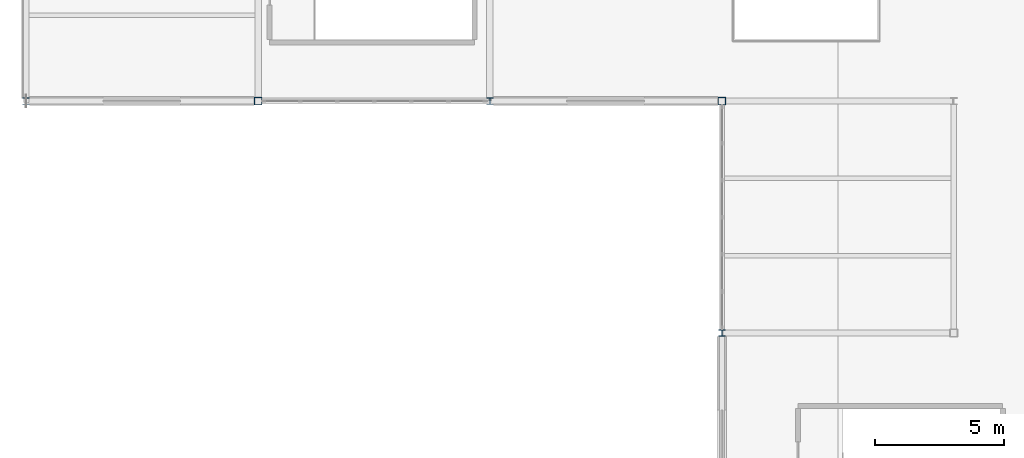
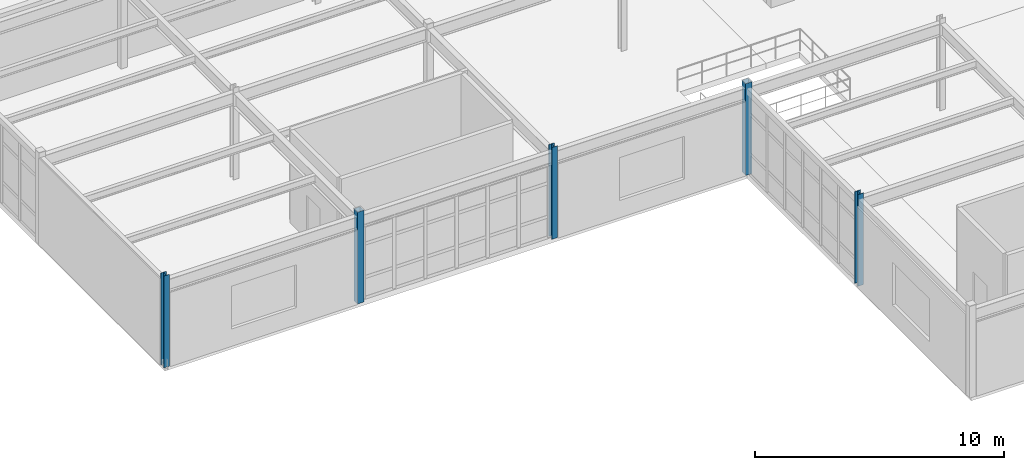
# One storey, part 3 of 81: 5 columns.
"""IFC4 building model written with IfcOpenShell, lengths in metres."""

from ifc_helpers import new_model, si_unit, direction, frame, origin, origin_2d, place, context, subcontext, project, spatial, hollow_rectangle, i_section, extrude, material, material_profile, profile_set, type_object, element, save


model = new_model("IFC4")

# Units and contexts
model_context = context("Model", 3, precision=1e-05, world=origin(), true_north=direction((0.0, 1.0)))
body_context = subcontext(model_context, "Body", "Model", "MODEL_VIEW")
ifc_project = project(units=[si_unit("LENGTHUNIT", "METRE"), si_unit("AREAUNIT", "SQUARE_METRE"), si_unit("VOLUMEUNIT", "CUBIC_METRE"), si_unit("PLANEANGLEUNIT", "RADIAN"), si_unit("MASSUNIT", "GRAM", prefix="KILO")], contexts=[model_context])

# Site, building, storey
site_placement = place(None, origin())
site = spatial("IfcSite", under=ifc_project, at=site_placement, CompositionType="ELEMENT")
building_placement = place(site_placement, origin())
building = spatial("IfcBuilding", under=site, at=building_placement, Name="Glasvene Arena", CompositionType="ELEMENT")
storey_placement = place(building_placement, frame((0.0, 0.0, 15.0)))
storey = spatial("IfcBuildingStorey", under=building, at=storey_placement, Name="L03", CompositionType="ELEMENT", Elevation=15.0)

# Columns
ifc_material = material(Name="Steel S355J2", Category="steel")
ifc_material_profile_1 = material_profile(ifc_material, hollow_rectangle(XDim=0.300048828125, YDim=0.300048828125, WallThickness=0.012451171875, at=origin_2d()), Name="SHS 300x300x12.5")
ifc_profile_set_1 = profile_set([ifc_material_profile_1], Name="Steel S355J2")
column_type_1 = type_object("IfcColumnType", Name="COL-W-SHS300", PredefinedType="COLUMN", material=ifc_profile_set_1)
for number, where, z_axis, x_axis, name in (
    (1, (9.0, 54.0, 0.0), (0.0, 0.0, 1.0), (1.0, 0.0, 0.0), "Grid column 2-7 L03"),
    (2, (27.0, 54.0, 0.0), (0.0, 0.0, 1.0), (1.0, 0.0, 0.0), "Grid column 4-7 L03"),
):
    element("IfcColumn", number, at=place(storey_placement, frame(where, z_axis=z_axis, x_axis=x_axis)), inside=storey, type_object=column_type_1, Name=name, PredefinedType="COLUMN", context=body_context, shape_type="SweptSolid", body=[
        extrude(hollow_rectangle(XDim=0.300048828125, YDim=0.300048828125, WallThickness=0.012451171875, at=origin_2d()), origin(), (0.0, 0.0, 1.0), 4.5),
    ])
ifc_material_profile_2 = material_profile(ifc_material, i_section(OverallWidth=0.25634765625, OverallDepth=0.26025390625, WebThickness=0.01025390625, FlangeThickness=0.017333984375, FilletRadius=0.0126953125, at=origin_2d()), Name="UKC 254x254x89")
ifc_profile_set_2 = profile_set([ifc_material_profile_2], Name="Steel S355J2")
column_type_2 = type_object("IfcColumnType", Name="COL-W-UKC89", PredefinedType="COLUMN", material=ifc_profile_set_2)
for number, where, z_axis, x_axis, name in (
    (3, (0.0, 54.0, 0.0), (0.0, 0.0, 1.0), (1.0, 0.0, 0.0), "Grid column 1-7 L03"),
    (4, (18.0, 54.0, 0.0), (0.0, 0.0, 1.0), (1.0, 0.0, 0.0), "Grid column 3-7 L03"),
    (5, (27.0, 45.0, 0.0), (0.0, 0.0, 1.0), (1.0, 0.0, 0.0), "Grid column 4-6 L03"),
):
    element("IfcColumn", number, at=place(storey_placement, frame(where, z_axis=z_axis, x_axis=x_axis)), inside=storey, type_object=column_type_2, Name=name, PredefinedType="COLUMN", context=body_context, shape_type="SweptSolid", body=[
        extrude(i_section(OverallWidth=0.25634765625, OverallDepth=0.26025390625, WebThickness=0.01025390625, FlangeThickness=0.017333984375, FilletRadius=0.0126953125, at=origin_2d()), origin(), (0.0, 0.0, 1.0), 4.5),
    ])

save(model, "model.ifc")
